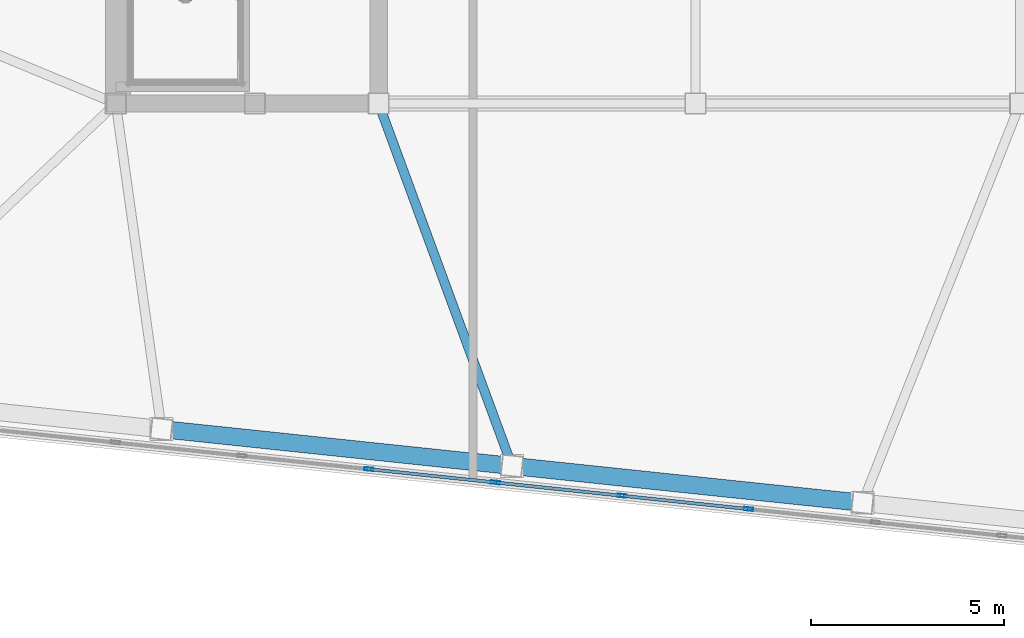
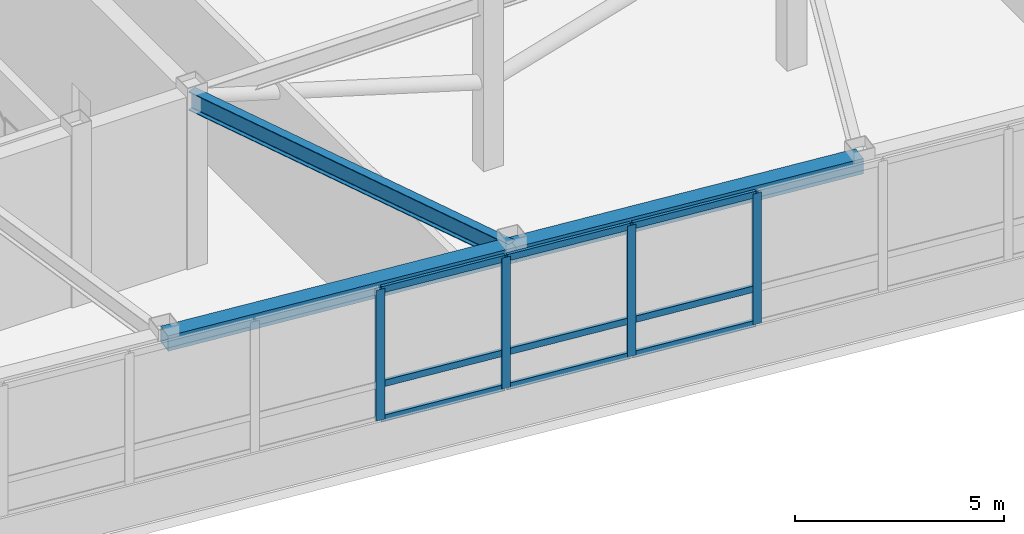
# One storey, part 4 of 23: 13 members, 3 beams, 1 element without a shape of its own.
"""IFC4 building model written with IfcOpenShell, lengths in metres."""

from ifc_helpers import new_model, si_unit, direction, frame, origin, origin_2d, place, context, subcontext, project, spatial, hollow_rectangle, i_section, extrude, material, layer, layer_set, material_profile, profile_set, type_object, element, aggregate, save


model = new_model("IFC4")

# Units and contexts
model_context = context("Model", 3, precision=1e-05, world=origin(), true_north=direction((0.0, 1.0)))
body_context = subcontext(model_context, "Body", "Model", "MODEL_VIEW")
ifc_project = project(units=[si_unit("LENGTHUNIT", "METRE"), si_unit("AREAUNIT", "SQUARE_METRE"), si_unit("VOLUMEUNIT", "CUBIC_METRE"), si_unit("PLANEANGLEUNIT", "RADIAN"), si_unit("MASSUNIT", "GRAM", prefix="KILO")], contexts=[model_context])

# Site, building, storey
site_placement = place(None, origin())
site = spatial("IfcSite", under=ifc_project, at=site_placement, CompositionType="ELEMENT")
building_placement = place(site_placement, origin())
building = spatial("IfcBuilding", under=site, at=building_placement, Name="Voryun Gate Residences", CompositionType="ELEMENT")
storey_placement = place(building_placement, frame((0.0, 0.0, 321.300048828125)))
storey = spatial("IfcBuildingStorey", under=building, at=storey_placement, Name="L79", CompositionType="ELEMENT", Elevation=321.300048828125)

# Beams
ifc_material_1 = material(Name="Steel SM355", Category="steel")
ifc_material_profile_1 = material_profile(ifc_material_1, hollow_rectangle(XDim=0.449951171875, YDim=0.449951171875, WallThickness=0.01806640625, at=origin_2d()), Name="BOX-450x450x18")
ifc_profile_set_1 = profile_set([ifc_material_profile_1], Name="Steel SM355")
beam_type_1 = type_object("IfcBeamType", Name="BM_CROWN_RING", PredefinedType="BEAM", material=ifc_profile_set_1)
beam_1_placement = place(storey_placement, frame((-18.0185546875, -15.824951171875, 4.800048828125), z_axis=(0.994521136856, -0.104535679778, 0.0), x_axis=(0.104535679778, 0.994521136856, 0.0)))
element("IfcBeam", 1, at=beam_1_placement, inside=storey, type_object=beam_type_1, Name="BM-L79-SPAND-02", PredefinedType="BEAM", context=body_context, shape_type="SweptSolid", body=[
    extrude(hollow_rectangle(XDim=0.449951171875, YDim=0.449951171875, WallThickness=0.01806640625, at=origin_2d()), origin(), (0.0, 0.0, 1.0), 9.1201171875),
])
beam_2_placement = place(storey_placement, frame((-8.948486328125, -16.7783203125, 4.800048828125), z_axis=(0.994520844313, -0.104538462908, 0.0), x_axis=(0.104538462908, 0.994520844313, 0.0)))
element("IfcBeam", 2, at=beam_2_placement, inside=storey, type_object=beam_type_1, Name="BM-L79-SPAND-03", PredefinedType="BEAM", context=body_context, shape_type="SweptSolid", body=[
    extrude(hollow_rectangle(XDim=0.449951171875, YDim=0.449951171875, WallThickness=0.01806640625, at=origin_2d()), origin(), (0.0, 0.0, 1.0), 9.119873046875),
])
ifc_material_2 = material(Name="Steel SM355", Category="steel")
ifc_material_profile_2 = material_profile(ifc_material_2, i_section(OverallWidth=0.239990234375, OverallDepth=0.550048828125, WebThickness=0.011962890625, FlangeThickness=0.02001953125, FilletRadius=0.01806640625, at=origin_2d()), Name="H-550x240x12x20")
ifc_profile_set_2 = profile_set([ifc_material_profile_2], Name="Steel SM355")
beam_type_2 = type_object("IfcBeamType", Name="BM_GIRD_550", PredefinedType="USERDEFINED", material=ifc_profile_set_2)
beam_3_placement = place(storey_placement, frame((-12.39990234375, -7.39990234375, 4.75), z_axis=(0.345371356654, -0.938466102746, 0.0), x_axis=(0.938466102746, 0.345371356654, 0.0)))
element("IfcBeam", 3, at=beam_3_placement, inside=storey, type_object=beam_type_2, Name="BM-L79-RAD-S3", ObjectType="GIRDER", PredefinedType="USERDEFINED", context=body_context, shape_type="SweptSolid", body=[
    extrude(i_section(OverallWidth=0.239990234375, OverallDepth=0.550048828125, WebThickness=0.011962890625, FlangeThickness=0.02001953125, FilletRadius=0.01806640625, at=origin_2d()), origin(), (0.0, 0.0, 1.0), 9.993408203125),
])

# Curtain wall, members
ifc_material_3 = material(Name="Anodised aluminium", Category="aluminium")
ifc_layer = layer(ifc_material_3, 0.22998046875, Name="CW_SYS_LANTERN_DARK_GLASS")
ifc_layer_set = layer_set([ifc_layer], Name="Anodised aluminium")
curtain_wall_type = type_object("IfcCurtainWallType", Name="CW_SYS_LANTERN_DARK_GLASS", PredefinedType="NOTDEFINED", material=ifc_layer_set)
curtain_wall_placement = place(storey_placement, origin())
curtain_wall = element("IfcCurtainWall", 4, at=curtain_wall_placement, inside=storey, type_object=curtain_wall_type, Name="Curtain wall CW6-L79-01", PredefinedType="NOTDEFINED")
ifc_material_4 = material(Name="Anodised aluminium", Category="aluminium")
ifc_material_profile_3 = material_profile(ifc_material_4, hollow_rectangle(XDim=0.0849609375, YDim=0.22998046875, WallThickness=0.006103515625, at=origin_2d()), Name="ALU-MULL-230x85x6")
ifc_profile_set_3 = profile_set([ifc_material_profile_3], Name="Anodised aluminium")
member_type_1 = type_object("IfcMemberType", Name="CW_MULL_LANT", PredefinedType="MULLION", material=ifc_profile_set_3)
member_1_placement = place(storey_placement, frame((-2.82421875, -17.89453125, 1.18994140625), z_axis=(0.0, 0.0, 1.0), x_axis=(-0.10452775858, -0.994521969434, 0.0)))
member_1 = element("IfcMember", 5, at=member_1_placement, type_object=member_type_1, Name="CW6 mullion 7", PredefinedType="MULLION", context=body_context, shape_type="SweptSolid", body=[
    extrude(hollow_rectangle(XDim=0.0849609375, YDim=0.22998046875, WallThickness=0.006103515625, at=origin_2d()), origin(), (0.0, 0.0, 1.0), 3.8349609375),
])
member_2_placement = place(storey_placement, frame((-6.10107421875, -17.55029296875, 1.18994140625), z_axis=(0.0, 0.0, 1.0), x_axis=(-0.10452775858, -0.994521969434, 0.0)))
member_2 = element("IfcMember", 6, at=member_2_placement, type_object=member_type_1, Name="CW6 mullion 8", PredefinedType="MULLION", context=body_context, shape_type="SweptSolid", body=[
    extrude(hollow_rectangle(XDim=0.0849609375, YDim=0.22998046875, WallThickness=0.006103515625, at=origin_2d()), origin(), (0.0, 0.0, 1.0), 3.8349609375),
])
member_3_placement = place(storey_placement, frame((-9.377685546875, -17.205810546875, 1.18994140625), z_axis=(0.0, 0.0, 1.0), x_axis=(-0.10452775858, -0.994521969434, 0.0)))
member_3 = element("IfcMember", 7, at=member_3_placement, type_object=member_type_1, Name="CW6 mullion 9", PredefinedType="MULLION", context=body_context, shape_type="SweptSolid", body=[
    extrude(hollow_rectangle(XDim=0.0849609375, YDim=0.22998046875, WallThickness=0.006103515625, at=origin_2d()), origin(), (0.0, 0.0, 1.0), 3.8349609375),
])
member_4_placement = place(storey_placement, frame((-12.654296875, -16.861328125, 1.18994140625), z_axis=(0.0, 0.0, 1.0), x_axis=(-0.10452775858, -0.994521969434, 0.0)))
member_4 = element("IfcMember", 8, at=member_4_placement, type_object=member_type_1, Name="CW6 mullion 10", PredefinedType="MULLION", context=body_context, shape_type="SweptSolid", body=[
    extrude(hollow_rectangle(XDim=0.0849609375, YDim=0.22998046875, WallThickness=0.006103515625, at=origin_2d()), origin(), (0.0, 0.0, 1.0), 3.8349609375),
])
ifc_material_5 = material(Name="Anodised aluminium", Category="aluminium")
ifc_material_profile_4 = material_profile(ifc_material_5, hollow_rectangle(XDim=0.0849609375, YDim=0.18994140625, WallThickness=0.006103515625, at=origin_2d()), Name="ALU-TRAN-190x85x6")
ifc_profile_set_4 = profile_set([ifc_material_profile_4], Name="Anodised aluminium")
member_type_2 = type_object("IfcMemberType", Name="CW_TRAN_LANT", PredefinedType="USERDEFINED", material=ifc_profile_set_4)
member_5_placement = place(storey_placement, frame((-2.854248046875, -17.891357421875, 1.219970703125), z_axis=(-0.994520745033, 0.104539407398, 0.0), x_axis=(-0.104539407398, -0.994520745033, 0.0)))
member_5 = element("IfcMember", 9, at=member_5_placement, type_object=member_type_2, Name="CW6 transom 7.1", ObjectType="TRANSOM", PredefinedType="USERDEFINED", context=body_context, shape_type="SweptSolid", body=[
    extrude(hollow_rectangle(XDim=0.0849609375, YDim=0.18994140625, WallThickness=0.006103515625, at=origin_2d()), origin(), (0.0, 0.0, 1.0), 3.234619140625),
])
member_6_placement = place(storey_placement, frame((-2.854248046875, -17.891357421875, 2.239990234375), z_axis=(-0.994520745033, 0.104539407398, 0.0), x_axis=(-0.104539407398, -0.994520745033, 0.0)))
member_6 = element("IfcMember", 10, at=member_6_placement, type_object=member_type_2, Name="CW6 transom 7.2", ObjectType="TRANSOM", PredefinedType="USERDEFINED", context=body_context, shape_type="SweptSolid", body=[
    extrude(hollow_rectangle(XDim=0.0849609375, YDim=0.18994140625, WallThickness=0.006103515625, at=origin_2d()), origin(), (0.0, 0.0, 1.0), 3.234619140625),
])
member_7_placement = place(storey_placement, frame((-2.854248046875, -17.891357421875, 4.994873046875), z_axis=(-0.994520745033, 0.104539407398, 0.0), x_axis=(-0.104539407398, -0.994520745033, 0.0)))
member_7 = element("IfcMember", 11, at=member_7_placement, type_object=member_type_2, Name="CW6 transom 7.3", ObjectType="TRANSOM", PredefinedType="USERDEFINED", context=body_context, shape_type="SweptSolid", body=[
    extrude(hollow_rectangle(XDim=0.0849609375, YDim=0.18994140625, WallThickness=0.006103515625, at=origin_2d()), origin(), (0.0, 0.0, 1.0), 3.234619140625),
])
member_8_placement = place(storey_placement, frame((-6.130859375, -17.547119140625, 1.219970703125), z_axis=(-0.994520745033, 0.104539407398, 0.0), x_axis=(-0.104539407398, -0.994520745033, 0.0)))
member_8 = element("IfcMember", 12, at=member_8_placement, type_object=member_type_2, Name="CW6 transom 8.1", ObjectType="TRANSOM", PredefinedType="USERDEFINED", context=body_context, shape_type="SweptSolid", body=[
    extrude(hollow_rectangle(XDim=0.0849609375, YDim=0.18994140625, WallThickness=0.006103515625, at=origin_2d()), origin(), (0.0, 0.0, 1.0), 3.234619140625),
])
member_9_placement = place(storey_placement, frame((-6.130859375, -17.547119140625, 2.239990234375), z_axis=(-0.994520745033, 0.104539407398, 0.0), x_axis=(-0.104539407398, -0.994520745033, 0.0)))
member_9 = element("IfcMember", 13, at=member_9_placement, type_object=member_type_2, Name="CW6 transom 8.2", ObjectType="TRANSOM", PredefinedType="USERDEFINED", context=body_context, shape_type="SweptSolid", body=[
    extrude(hollow_rectangle(XDim=0.0849609375, YDim=0.18994140625, WallThickness=0.006103515625, at=origin_2d()), origin(), (0.0, 0.0, 1.0), 3.234619140625),
])
member_10_placement = place(storey_placement, frame((-6.130859375, -17.547119140625, 4.994873046875), z_axis=(-0.994520745033, 0.104539407398, 0.0), x_axis=(-0.104539407398, -0.994520745033, 0.0)))
member_10 = element("IfcMember", 14, at=member_10_placement, type_object=member_type_2, Name="CW6 transom 8.3", ObjectType="TRANSOM", PredefinedType="USERDEFINED", context=body_context, shape_type="SweptSolid", body=[
    extrude(hollow_rectangle(XDim=0.0849609375, YDim=0.18994140625, WallThickness=0.006103515625, at=origin_2d()), origin(), (0.0, 0.0, 1.0), 3.234619140625),
])
member_11_placement = place(storey_placement, frame((-9.407470703125, -17.20263671875, 1.219970703125), z_axis=(-0.994520745033, 0.104539407398, 0.0), x_axis=(-0.104539407398, -0.994520745033, 0.0)))
member_11 = element("IfcMember", 15, at=member_11_placement, type_object=member_type_2, Name="CW6 transom 9.1", ObjectType="TRANSOM", PredefinedType="USERDEFINED", context=body_context, shape_type="SweptSolid", body=[
    extrude(hollow_rectangle(XDim=0.0849609375, YDim=0.18994140625, WallThickness=0.006103515625, at=origin_2d()), origin(), (0.0, 0.0, 1.0), 3.234619140625),
])
member_12_placement = place(storey_placement, frame((-9.407470703125, -17.20263671875, 2.239990234375), z_axis=(-0.994520745033, 0.104539407398, 0.0), x_axis=(-0.104539407398, -0.994520745033, 0.0)))
member_12 = element("IfcMember", 16, at=member_12_placement, type_object=member_type_2, Name="CW6 transom 9.2", ObjectType="TRANSOM", PredefinedType="USERDEFINED", context=body_context, shape_type="SweptSolid", body=[
    extrude(hollow_rectangle(XDim=0.0849609375, YDim=0.18994140625, WallThickness=0.006103515625, at=origin_2d()), origin(), (0.0, 0.0, 1.0), 3.234619140625),
])
member_13_placement = place(storey_placement, frame((-9.407470703125, -17.20263671875, 4.994873046875), z_axis=(-0.994520745033, 0.104539407398, 0.0), x_axis=(-0.104539407398, -0.994520745033, 0.0)))
member_13 = element("IfcMember", 17, at=member_13_placement, type_object=member_type_2, Name="CW6 transom 9.3", ObjectType="TRANSOM", PredefinedType="USERDEFINED", context=body_context, shape_type="SweptSolid", body=[
    extrude(hollow_rectangle(XDim=0.0849609375, YDim=0.18994140625, WallThickness=0.006103515625, at=origin_2d()), origin(), (0.0, 0.0, 1.0), 3.234619140625),
])
aggregate(curtain_wall, [member_1, member_2, member_3, member_4, member_5, member_6, member_7, member_8, member_9, member_10, member_11, member_12, member_13])

save(model, "model.ifc")
